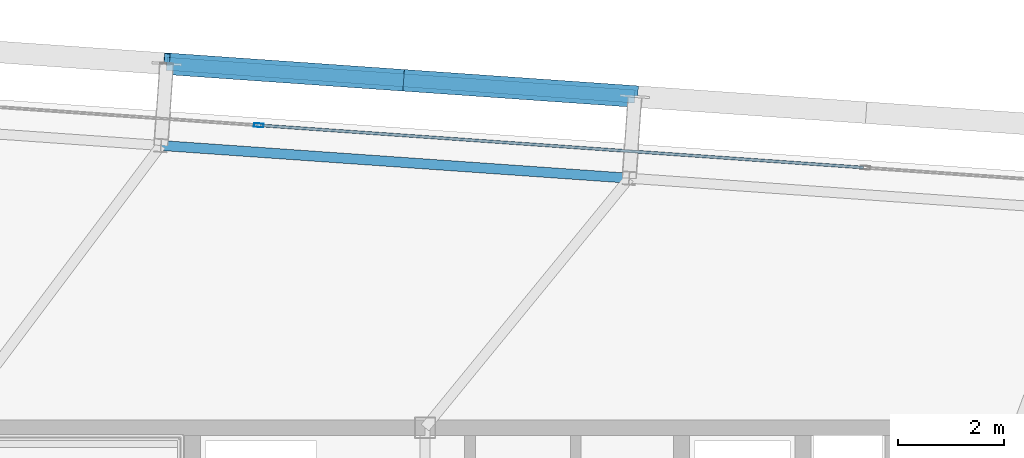
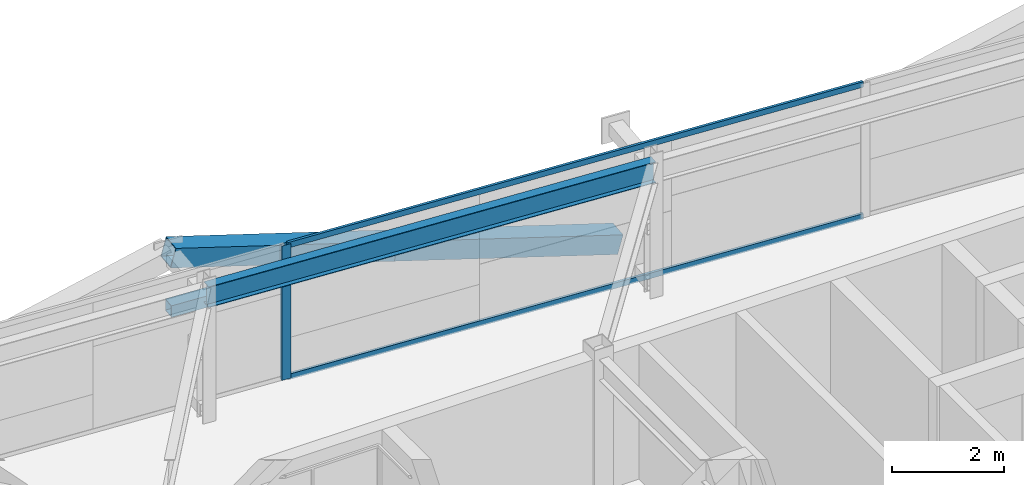
# One storey, part 21 of 39: 6 members, 1 beam, 1 element without a shape of its own.
"""IFC4 building model written with IfcOpenShell, lengths in metres."""

import ifcopenshell
import ifcopenshell.guid

model = None  # the IFC model being written
_history = None  # IfcOwnerHistory: only IFC2X3 demands one
_inside = {}  # id of a spatial element -> (the spatial element, [elements in it])
_under = {}  # id of a project, library or spatial element -> (it, [spatial elements below it])
_declared = {}  # id of a project -> (the project, [libraries it declares])
_typed = {}  # id of a type object -> (the type object, [elements of that type])
_made_of = {}  # id of a material, layer set ... -> (it, [elements and type objects made of it])


def new_model(schema):
    """Start an empty IFC model of exactly this schema.

    Asked for "IFC4X3", IfcOpenShell would pick the latest addendum, in which some entities
    have other attributes; the version numbers below select the first issue.
    IFC2X3 requires an IfcOwnerHistory on every rooted entity: one is made here for all.
    """
    global model, _history
    if schema == "IFC4X3":
        model = ifcopenshell.file(schema_version=(4, 3, 0, 0))
    else:
        model = ifcopenshell.file(schema=schema)
    _inside.clear()
    _under.clear()
    _declared.clear()
    _typed.clear()
    _made_of.clear()
    _history = None
    if model.schema == "IFC2X3":
        org = make("IfcOrganization", Name="unknown")
        user = make(
            "IfcPersonAndOrganization",
            ThePerson=make("IfcPerson", FamilyName="unknown"),
            TheOrganization=org,
        )
        app = make(
            "IfcApplication",
            ApplicationDeveloper=org,
            Version="unknown",
            ApplicationFullName="unknown",
            ApplicationIdentifier="unknown",
        )
        _history = make(
            "IfcOwnerHistory",
            OwningUser=user,
            OwningApplication=app,
            ChangeAction="ADDED",
            CreationDate=0,
        )
    return model


def make(cls, **values):
    """One entity of the class cls with the attributes given. An attribute that is None is left unset."""
    return model.create_entity(
        cls, **{name: value for name, value in values.items() if value is not None}
    )


def rooted(cls, **values):
    """An entity with a GlobalId (a new one), such as an element, a storey or a relation."""
    return make(cls, GlobalId=ifcopenshell.guid.new(), OwnerHistory=_history, **values)


def si_unit(unit_type, name, prefix=None):
    """IfcSIUnit, for example si_unit("LENGTHUNIT", "METRE", prefix="MILLI")."""
    return make("IfcSIUnit", UnitType=unit_type, Prefix=prefix, Name=name)


def assignment(units):
    """IfcUnitAssignment: the units of a project."""
    return None if units is None else make("IfcUnitAssignment", Units=units)


def point(xyz):
    """IfcCartesianPoint."""
    return None if xyz is None else make("IfcCartesianPoint", Coordinates=xyz)


def direction(xyz):
    """IfcDirection."""
    return None if xyz is None else make("IfcDirection", DirectionRatios=xyz)


def frame(location, z_axis=None, x_axis=None):
    """IfcAxis2Placement3D, a coordinate frame: its origin and axes. An axis left out is left unset."""
    return make(
        "IfcAxis2Placement3D",
        Location=point(location),
        Axis=direction(z_axis),
        RefDirection=direction(x_axis),
    )


def frame_2d(location, x_axis=None):
    """IfcAxis2Placement2D, a coordinate frame in the plane: its origin and x axis."""
    return make(
        "IfcAxis2Placement2D", Location=point(location), RefDirection=direction(x_axis)
    )


def origin():
    """The frame at (0, 0, 0) with its axes left unset."""
    return frame((0.0, 0.0, 0.0))


def origin_2d():
    """The frame at (0, 0) in the plane with its x axis left unset."""
    return frame_2d((0.0, 0.0))


def place(relative_to, where):
    """IfcLocalPlacement: puts the frame where relative to a parent placement (None: the world)."""
    return make(
        "IfcLocalPlacement", PlacementRelTo=relative_to, RelativePlacement=where
    )


def context(
    kind, dimensions, precision=None, world=None, true_north=None, identifier=None
):
    """IfcGeometricRepresentationContext, for example the 3D "Model" context."""
    return make(
        "IfcGeometricRepresentationContext",
        ContextIdentifier=identifier,
        ContextType=kind,
        CoordinateSpaceDimension=dimensions,
        Precision=precision,
        WorldCoordinateSystem=world,
        TrueNorth=true_north,
    )


def subcontext(parent, identifier, kind, view, scale=None):
    """IfcGeometricRepresentationSubContext, for example "Body" below "Model"."""
    return make(
        "IfcGeometricRepresentationSubContext",
        ContextIdentifier=identifier,
        ContextType=kind,
        ParentContext=parent,
        TargetScale=scale,
        TargetView=view,
    )


def project(units=None, contexts=None):
    """IfcProject with its units and contexts."""
    return rooted(
        "IfcProject",
        Name="project",
        RepresentationContexts=contexts,
        UnitsInContext=assignment(units),
    )


def spatial(cls, under=None, at=None, **own):
    """A site, building, storey or space (cls), placed at a placement, below another one or the project."""
    s = rooted(cls, ObjectPlacement=at, **own)
    if under is not None:
        _under.setdefault(under.id(), (under, []))[1].append(s)
    return s


def profile(cls, at=None, kind="AREA", **sizes):
    """A parametric profile (cls). Its sizes go by their IFC names, for example OverallWidth=200.0."""
    return make(cls, ProfileType=kind, Position=at, **sizes)


def hollow_rectangle(**sizes):
    """IfcRectangleHollowProfileDef."""
    return profile("IfcRectangleHollowProfileDef", **sizes)


def i_section(**sizes):
    """IfcIShapeProfileDef."""
    return profile("IfcIShapeProfileDef", **sizes)


def extrude(swept, where, along, depth):
    """IfcExtrudedAreaSolid: the profile swept, set in the frame where, extruded along a direction by depth."""
    return make(
        "IfcExtrudedAreaSolid",
        SweptArea=swept,
        Position=where,
        ExtrudedDirection=direction(along),
        Depth=depth,
    )


def shape(context_of_items, identifier, shape_type, items):
    """IfcShapeRepresentation: the items that make up one representation, for example the "Body"."""
    return make(
        "IfcShapeRepresentation",
        ContextOfItems=context_of_items,
        RepresentationIdentifier=identifier,
        RepresentationType=shape_type,
        Items=items,
    )


def source(mapping_origin, context_of_items, identifier, shape_type, items):
    """IfcRepresentationMap: a shape defined once, which mapped items show again and again."""
    return make(
        "IfcRepresentationMap",
        MappingOrigin=mapping_origin,
        MappedRepresentation=shape(context_of_items, identifier, shape_type, items),
    )


def transform(
    local_origin,
    x_axis=None,
    y_axis=None,
    z_axis=None,
    scale=None,
    scale2=None,
    scale3=None,
    uniform=True,
):
    """IfcCartesianTransformationOperator3D, or its non-uniform kind. x_axis, y_axis, z_axis: its Axis1, 2, 3."""
    if uniform:
        return make(
            "IfcCartesianTransformationOperator3D",
            Axis1=direction(x_axis),
            Axis2=direction(y_axis),
            LocalOrigin=point(local_origin),
            Scale=scale,
            Axis3=direction(z_axis),
        )
    return make(
        "IfcCartesianTransformationOperator3DnonUniform",
        Axis1=direction(x_axis),
        Axis2=direction(y_axis),
        LocalOrigin=point(local_origin),
        Scale=scale,
        Axis3=direction(z_axis),
        Scale2=scale2,
        Scale3=scale3,
    )


def mapped(mapping_source, mapping_target):
    """IfcMappedItem: shows the shape of a source again, moved by a transform."""
    return make(
        "IfcMappedItem", MappingSource=mapping_source, MappingTarget=mapping_target
    )


def material(Name=None, Category=None):
    """IfcMaterial."""
    return make("IfcMaterial", Name=Name, Category=Category)


def layer(
    of_material, thickness, ventilated=None, Name=None, Category=None, Priority=None
):
    """IfcMaterialLayer: one layer of a wall or slab, of a material (None: an air gap)."""
    return make(
        "IfcMaterialLayer",
        Material=of_material,
        LayerThickness=thickness,
        IsVentilated=ventilated,
        Name=Name,
        Category=Category,
        Priority=Priority,
    )


def layer_set(layers, Name=None):
    """IfcMaterialLayerSet."""
    return make("IfcMaterialLayerSet", MaterialLayers=layers, LayerSetName=Name)


def material_profile(
    of_material, cross_section, Name=None, Category=None, Priority=None
):
    """IfcMaterialProfile: a cross section and its material."""
    return make(
        "IfcMaterialProfile",
        Name=Name,
        Material=of_material,
        Profile=cross_section,
        Priority=Priority,
        Category=Category,
    )


def profile_set(profiles, Name=None, composite=None):
    """IfcMaterialProfileSet."""
    return make(
        "IfcMaterialProfileSet",
        Name=Name,
        MaterialProfiles=profiles,
        CompositeProfile=composite,
    )


def made_of(thing, what):
    """Note that an element or type object is made of a material, layer set ...; save() writes the relation."""
    if what is not None:
        _made_of.setdefault(what.id(), (what, []))[1].append(thing)
    return thing


def type_object(cls, material=None, **own):
    """A type object (cls), such as IfcWallType, which elements share."""
    return made_of(rooted(cls, **own), material)


def element(
    cls,
    number,
    at=None,
    inside=None,
    cuts=None,
    type_object=None,
    material=None,
    context=None,
    identifier="Body",
    shape_type=None,
    held_by="IfcProductDefinitionShape",
    body=None,
    shapes=None,
    **own,
):
    """One element of the class cls, such as IfcWall. Its Tag is "e" and its number.

    at: its placement. inside: the storey or other place that contains it. cuts: it is an
    opening in that element (IfcRelVoidsElement). A single representation is given by context,
    identifier, shape_type and body (its items); several are given by shapes. held_by: the class
    of the entity that holds the representations. save() writes the other relations.
    """
    e = rooted(cls, Tag="e%d" % number, ObjectPlacement=at, **own)
    if body is not None:
        shapes = [shape(context, identifier, shape_type, body)]
    if shapes is not None:
        e.Representation = make(held_by, Representations=shapes)
    if inside is not None:
        _inside.setdefault(inside.id(), (inside, []))[1].append(e)
    if cuts is not None:
        rooted(
            "IfcRelVoidsElement", RelatingBuildingElement=cuts, RelatedOpeningElement=e
        )
    if type_object is not None:
        _typed.setdefault(type_object.id(), (type_object, []))[1].append(e)
    return made_of(e, material)


def aggregate(whole, parts):
    """IfcRelAggregates: a whole, such as a stair, and the parts it consists of."""
    return rooted("IfcRelAggregates", RelatingObject=whole, RelatedObjects=parts)


def save(model, path):
    """Write the relations noted so far, then the file.

    IfcRelAggregates (storeys below a building ...), IfcRelContainedInSpatialStructure (elements
    in a storey), IfcRelDefinesByType, IfcRelAssociatesMaterial and IfcRelDeclares: one each for
    every whole, place, type object, material and project.
    """
    for whole, parts in _under.values():
        aggregate(whole, parts)
    for where, things in _inside.values():
        rooted(
            "IfcRelContainedInSpatialStructure",
            RelatedElements=things,
            RelatingStructure=where,
        )
    for kind, things in _typed.values():
        rooted("IfcRelDefinesByType", RelatedObjects=things, RelatingType=kind)
    for what, things in _made_of.values():
        rooted("IfcRelAssociatesMaterial", RelatedObjects=things, RelatingMaterial=what)
    for by, libraries in _declared.values():
        rooted("IfcRelDeclares", RelatingContext=by, RelatedDefinitions=libraries)
    model.write(path)


model = new_model("IFC4")

# Units and contexts
model_context = context("Model", 3, precision=1e-05, world=origin(), true_north=direction((0.0, 1.0)))
body_context = subcontext(model_context, "Body", "Model", "MODEL_VIEW")
ifc_project = project(units=[si_unit("LENGTHUNIT", "METRE"), si_unit("AREAUNIT", "SQUARE_METRE"), si_unit("VOLUMEUNIT", "CUBIC_METRE"), si_unit("PLANEANGLEUNIT", "RADIAN"), si_unit("MASSUNIT", "GRAM", prefix="KILO")], contexts=[model_context])

# Site, building, storey
site_placement = place(None, origin())
site = spatial("IfcSite", under=ifc_project, at=site_placement, CompositionType="ELEMENT")
building_placement = place(site_placement, origin())
building = spatial("IfcBuilding", under=site, at=building_placement, Name="Taldren Reach Tower", CompositionType="ELEMENT")
storey_placement = place(building_placement, frame((0.0, 0.0, 133.0)))
storey = spatial("IfcBuildingStorey", under=building, at=storey_placement, Name="L40", CompositionType="ELEMENT", Elevation=133.0)

# Beam
ifc_material_1 = material(Name="Steel Gr 350 (350PLUS)", Category="steel")
ifc_material_profile_1 = material_profile(ifc_material_1, i_section(OverallWidth=0.18994140625, OverallDepth=0.4541015625, WebThickness=0.008544921875, FlangeThickness=0.0126953125, at=origin_2d()), Name="460UB67.1")
ifc_profile_set_1 = profile_set([ifc_material_profile_1], Name="Steel Gr 350 (350PLUS)")
beam_type = type_object("IfcBeamType", Name="SP-UB460B", PredefinedType="SPANDREL", material=ifc_profile_set_1)
shared_shape_1 = source(origin(), body_context, "Body", "SweptSolid", [
    extrude(i_section(OverallWidth=0.18994140625, OverallDepth=0.4541015625, WebThickness=0.008544921875, FlangeThickness=0.0126953125, at=origin_2d()), origin(), (0.0, 0.0, 1.0), 8.880126953125),
])
beam_placement = place(storey_placement, frame((31.861328125, 36.719970703125, 2.702880859375), z_axis=(-0.997564479639, 0.069750333063, 0.0), x_axis=(-0.069750333063, -0.997564479639, 0.0)))
element("IfcBeam", 1, at=beam_placement, inside=storey, type_object=beam_type, Name="Perimeter spandrel B3 N3-N2 L40", PredefinedType="SPANDREL", context=body_context, shape_type="MappedRepresentation", body=[
    mapped(shared_shape_1, transform((0.0, 0.0, 0.0), scale=1.0)),
])

# Members
ifc_material_2 = material(Name="Steel Gr 350 (C350L0)", Category="steel")
ifc_material_profile_2 = material_profile(ifc_material_2, hollow_rectangle(XDim=0.25, YDim=0.25, WallThickness=0.010009765625, at=origin_2d()), Name="250x250x10.0SHS")
ifc_profile_set_2 = profile_set([ifc_material_profile_2], Name="Steel Gr 350 (C350L0)")
member_type_1 = type_object("IfcMemberType", Name="MB-POST250", PredefinedType="POST", material=ifc_profile_set_2)
shared_shape_2 = source(origin(), body_context, "Body", "SweptSolid", [
    extrude(hollow_rectangle(XDim=0.25, YDim=0.25, WallThickness=0.010009765625, at=origin_2d()), origin(), (0.0, 0.0, 1.0), 8.880126953125),
])
member_1_placement = place(storey_placement, frame((23.111083984375, 38.885498046875, 1.43505859375), z_axis=(0.997564479639, -0.069750333063, 0.0), x_axis=(0.069750333063, 0.997564479639, 0.0)))
element("IfcMember", 2, at=member_1_placement, inside=storey, type_object=member_type_1, Name="Exoskeleton mid-height ring chord B3-N2 L40", PredefinedType="POST", context=body_context, shape_type="MappedRepresentation", body=[
    mapped(shared_shape_2, transform((0.0, 0.0, 0.0), scale=1.0)),
])
ifc_material_3 = material(Name="Steel Gr 450 (C450L0)", Category="steel")
ifc_material_profile_3 = material_profile(ifc_material_3, hollow_rectangle(XDim=0.409912109375, YDim=0.409912109375, WallThickness=0.01611328125, at=origin_2d()), Name="410x410x16.0SHS")
ifc_profile_set_3 = profile_set([ifc_material_profile_3], Name="Steel Gr 450 (C450L0)")
member_type_2 = type_object("IfcMemberType", Name="MB-EXO406", PredefinedType="BRACE", material=ifc_profile_set_3)
shared_shape_3 = source(origin(), body_context, "Body", "SweptSolid", [
    extrude(hollow_rectangle(XDim=0.409912109375, YDim=0.409912109375, WallThickness=0.01611328125, at=origin_2d()), origin(), (0.0, 0.0, 1.0), 4.603271484375),
])
for number, where, z_axis, x_axis, name in (
    (3, (31.969482421875, 38.26611328125, 0.219970703125), (-0.962182351074, 0.067302910567, 0.263961060594), (-0.06977769246, -0.997562566276, 0.0), "Exoskeleton Diagrid Brace B3-N2 L40"),
    (4, (27.540283203125, 38.575927734375, 1.43505859375), (-0.962199253371, 0.067251055742, 0.263912660389), (-0.069722973508, -0.997566392259, 0.0), "Exoskeleton Diagrid Brace B3-N2 L40"),
):
    element("IfcMember", number, at=place(storey_placement, frame(where, z_axis=z_axis, x_axis=x_axis)), inside=storey, type_object=member_type_2, Name=name, PredefinedType="BRACE", context=body_context, shape_type="MappedRepresentation", body=[
        mapped(shared_shape_3, transform((0.0, 0.0, 0.0), scale=1.0)),
    ])

# Curtain wall, members
ifc_material_4 = material(Name="Aluminium and Low-E Glass Unitised System", Category="aluminium")
ifc_layer = layer(ifc_material_4, 0.159912109375)
ifc_layer_set = layer_set([ifc_layer], Name="Aluminium and Low-E Glass Unitised System")
curtain_wall_type = type_object("IfcCurtainWallType", Name="CW-SYS-4", PredefinedType="NOTDEFINED", material=ifc_layer_set)
curtain_wall_placement = place(storey_placement, origin())
curtain_wall = element("IfcCurtainWall", 5, at=curtain_wall_placement, inside=storey, type_object=curtain_wall_type, Name="Unitised curtain wall CW-L40-N", PredefinedType="NOTDEFINED")
ifc_material_5 = material(Name="Anodised Aluminium 6063-T6", Category="aluminium")
ifc_material_profile_4 = material_profile(ifc_material_5, hollow_rectangle(XDim=0.054931640625, YDim=0.1201171875, WallThickness=0.0029296875, at=origin_2d()), Name="ALU-120x55x3RHS")
ifc_profile_set_4 = profile_set([ifc_material_profile_4], Name="Anodised Aluminium 6063-T6")
member_type_3 = type_object("IfcMemberType", Name="CW-TRN-135", PredefinedType="USERDEFINED", material=ifc_profile_set_4)
shared_shape_4 = source(origin(), body_context, "Body", "SweptSolid", [
    extrude(hollow_rectangle(XDim=0.054931640625, YDim=0.1201171875, WallThickness=0.0029296875, at=origin_2d()), origin(), (0.0, 0.0, 1.0), 11.43017578125),
])
member_2_placement = place(storey_placement, frame((36.291259765625, 36.92138671875, 0.027587890625), z_axis=(-0.997563844883, 0.069759410701, 0.0), x_axis=(-0.069759410701, -0.997563844883, 0.0)))
member_2 = element("IfcMember", 6, at=member_2_placement, type_object=member_type_3, Name="CW-4 transom 3.1", ObjectType="TRANSOM", PredefinedType="USERDEFINED", context=body_context, shape_type="MappedRepresentation", body=[
    mapped(shared_shape_4, transform((0.0, 0.0, 0.0), scale=1.0)),
])
member_3_placement = place(storey_placement, frame((36.291259765625, 36.92138671875, 2.902587890625), z_axis=(-0.997563844883, 0.069759410701, 0.0), x_axis=(-0.069759410701, -0.997563844883, 0.0)))
member_3 = element("IfcMember", 7, at=member_3_placement, type_object=member_type_3, Name="CW-4 transom 3.2", ObjectType="TRANSOM", PredefinedType="USERDEFINED", context=body_context, shape_type="MappedRepresentation", body=[
    mapped(shared_shape_4, transform((0.0, 0.0, 0.0), scale=1.0)),
])
ifc_material_profile_5 = material_profile(ifc_material_5, hollow_rectangle(XDim=0.070068359375, YDim=0.179931640625, WallThickness=0.00390625, at=origin_2d()), Name="ALU-180x70x4RHS")
ifc_profile_set_5 = profile_set([ifc_material_profile_5], Name="Anodised Aluminium 6063-T6")
member_type_4 = type_object("IfcMemberType", Name="CW-MUL-180", PredefinedType="MULLION", material=ifc_profile_set_5)
shared_shape_5 = source(origin(), body_context, "Body", "SweptSolid", [
    extrude(hollow_rectangle(XDim=0.070068359375, YDim=0.179931640625, WallThickness=0.00390625, at=origin_2d()), origin(), (0.0, 0.0, 1.0), 2.929931640625),
])
member_4_placement = place(storey_placement, frame((24.85400390625, 37.72119140625, 0.0), z_axis=(0.0, 0.0, 1.0), x_axis=(-0.06975651593, -0.99756404731, 0.0)))
member_4 = element("IfcMember", 8, at=member_4_placement, type_object=member_type_4, Name="CW-4 mullion 4", PredefinedType="MULLION", context=body_context, shape_type="MappedRepresentation", body=[
    mapped(shared_shape_5, transform((0.0, 0.0, 0.0), scale=1.0)),
])
aggregate(curtain_wall, [member_4, member_2, member_3])

save(model, "model.ifc")
